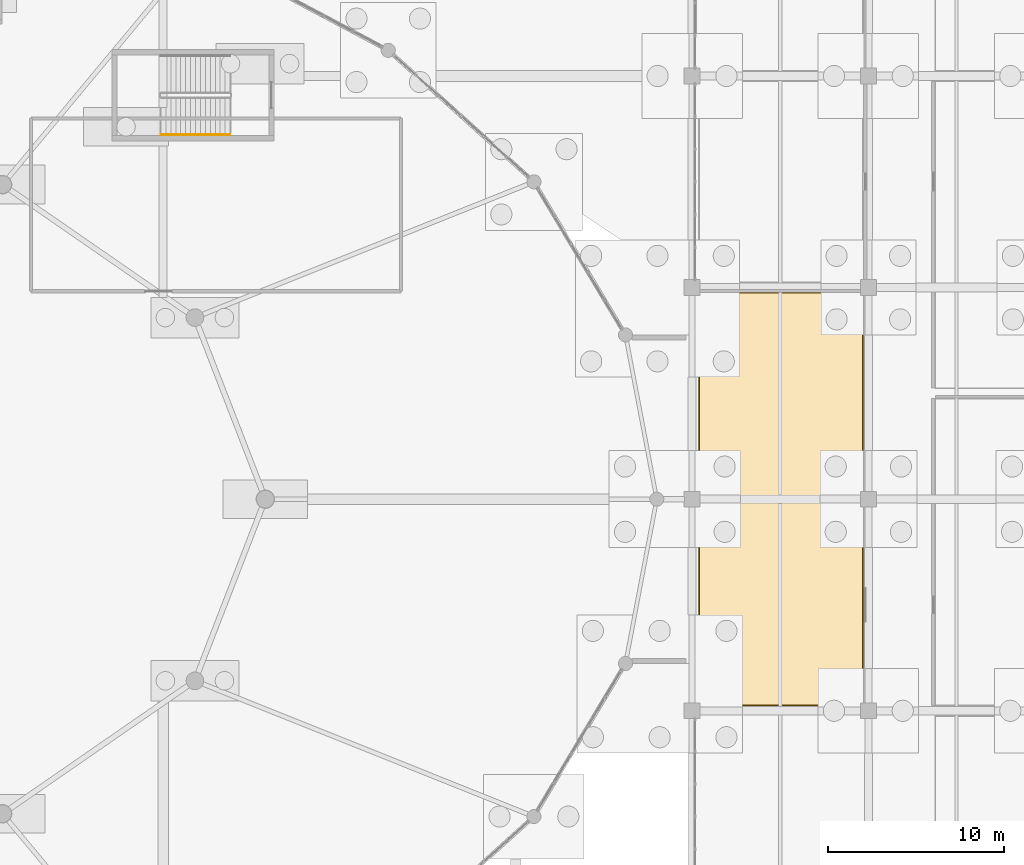
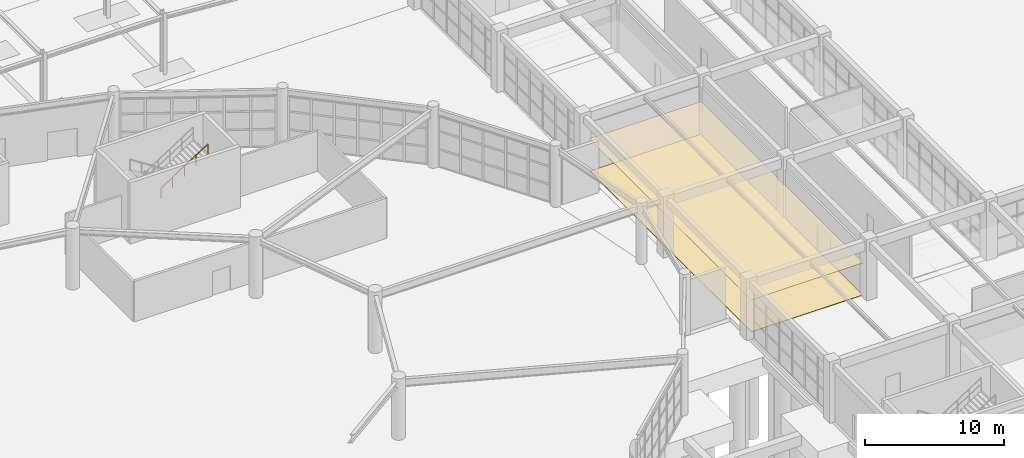
# One storey, part 92 of 99: 2 coverings, 1 railing.
"""IFC4 building model written with IfcOpenShell, lengths in metres."""

from ifc_helpers import new_model, si_unit, direction, frame, origin, origin_2d, place, context, subcontext, project, spatial, polyline, circle, outline, extrude, material, layer, layer_set, type_object, element, save


model = new_model("IFC4")

# Units and contexts
model_context = context("Model", 3, precision=1e-05, world=origin(), true_north=direction((0.0, 1.0)))
body_context = subcontext(model_context, "Body", "Model", "MODEL_VIEW")
ifc_project = project(units=[si_unit("LENGTHUNIT", "METRE"), si_unit("AREAUNIT", "SQUARE_METRE"), si_unit("VOLUMEUNIT", "CUBIC_METRE"), si_unit("PLANEANGLEUNIT", "RADIAN"), si_unit("MASSUNIT", "GRAM", prefix="KILO")], contexts=[model_context])

# Site, building, storey
site_placement = place(None, origin())
site = spatial("IfcSite", under=ifc_project, at=site_placement, CompositionType="ELEMENT")
building_placement = place(site_placement, origin())
building = spatial("IfcBuilding", under=site, at=building_placement, Name="Kivolera Central Railway Station", CompositionType="ELEMENT")
storey_placement = place(building_placement, origin())
storey = spatial("IfcBuildingStorey", under=building, at=storey_placement, Name="L00", CompositionType="ELEMENT", Elevation=0.0)

# Coverings
ifc_material_1 = material(Name="Mineral fibre acoustic tile")
ifc_layer_1 = layer(ifc_material_1, 0.030029296875, Name="Mineral fibre acoustic tile")
ifc_layer_set_1 = layer_set([ifc_layer_1], Name="Mineral fibre acoustic tile")
covering_type_1 = type_object("IfcCoveringType", Name="COV-CEIL-30", PredefinedType="CEILING", material=ifc_layer_set_1)
covering_1_placement = place(storey_placement, frame((0.0, 0.0, 2.85009765625)))
element("IfcCovering", 1, at=covering_1_placement, inside=storey, type_object=covering_type_1, Name="L00 Left Luggage and Baggage Screening Hall Acoustic Ceiling", PredefinedType="CEILING", context=body_context, shape_type="SweptSolid", body=[
    extrude(outline(polyline([(118.3798828125, 78.280029296875), (127.719970703125, 78.280029296875), (127.719970703125, 101.719970703125), (118.3798828125, 101.719970703125), (118.3798828125, 78.280029296875)])), origin(), (0.0, 0.0, 1.0), 0.02978515625),
])
ifc_material_2 = material(Name="Swahili coral limestone", Category="masonry")
ifc_layer_2 = layer(ifc_material_2, 0.034912109375, Name="Swahili coral limestone")
ifc_layer_set_2 = layer_set([ifc_layer_2], Name="Swahili coral limestone")
covering_type_2 = type_object("IfcCoveringType", Name="COV-FLR-35", PredefinedType="FLOORING", material=ifc_layer_set_2)
covering_2_placement = place(storey_placement, origin())
element("IfcCovering", 2, at=covering_2_placement, inside=storey, type_object=covering_type_2, Name="L00 Left Luggage and Baggage Screening Hall Floor Finish", PredefinedType="FLOORING", context=body_context, shape_type="SweptSolid", body=[
    extrude(outline(polyline([(118.419921875, 78.320068359375), (127.679931640625, 78.320068359375), (127.679931640625, 101.679931640625), (118.419921875, 101.679931640625), (118.419921875, 78.320068359375)])), origin(), (0.0, 0.0, 1.0), 0.034912109375),
])

# Railing
ifc_material_3 = material(Name="Anodised aluminium", Category="aluminium")
ifc_layer_3 = layer(ifc_material_3, 0.048095703125, Name="Anodised aluminium")
ifc_layer_set_3 = layer_set([ifc_layer_3], Name="Anodised aluminium")
railing_type = type_object("IfcRailingType", Name="RL-STAIR-HAND", PredefinedType="HANDRAIL", material=ifc_layer_set_3)
railing_placement = place(storey_placement, frame((87.8798828125, 110.669921875, 2.8798828125)))
element("IfcRailing", 3, at=railing_placement, inside=storey, type_object=railing_type, Name="L00 ST7 stair handrail 2", PredefinedType="HANDRAIL", context=body_context, shape_type="SweptSolid", body=[
    extrude(circle(Radius=0.02392578125, at=origin_2d()), frame((0.0, 0.0, 0.8759765625), z_axis=(0.841186985886, 0.0, 0.540744352514), x_axis=(0.0, 1.0, 0.0)), (0.0, 0.0, 1.0), 4.660400390625),
    extrude(circle(Radius=0.02099609375, at=origin_2d()), origin(), (0.0, 0.0, 1.0), 0.851806640625),
    extrude(circle(Radius=0.02099609375, at=origin_2d()), frame((0.97998046875, 0.0, 0.6298828125)), (0.0, 0.0, 1.0), 0.851806640625),
    extrude(circle(Radius=0.02099609375, at=origin_2d()), frame((1.9599609375, 0.0, 1.260009765625)), (0.0, 0.0, 1.0), 0.851806640625),
    extrude(circle(Radius=0.02099609375, at=origin_2d()), frame((2.940185546875, 0.0, 1.89013671875)), (0.0, 0.0, 1.0), 0.851806640625),
    extrude(circle(Radius=0.02099609375, at=origin_2d()), frame((3.920166015625, 0.0, 2.52001953125)), (0.0, 0.0, 1.0), 0.851806640625),
])

save(model, "model.ifc")
